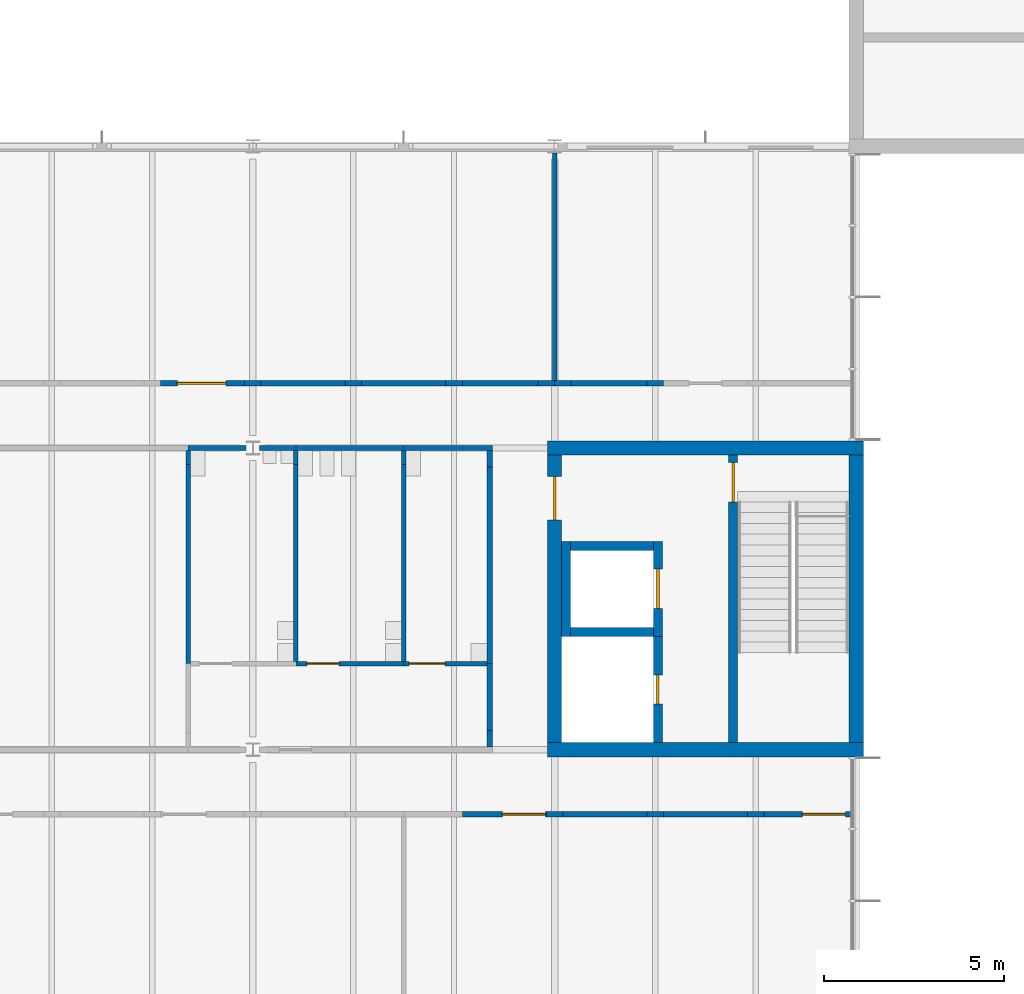
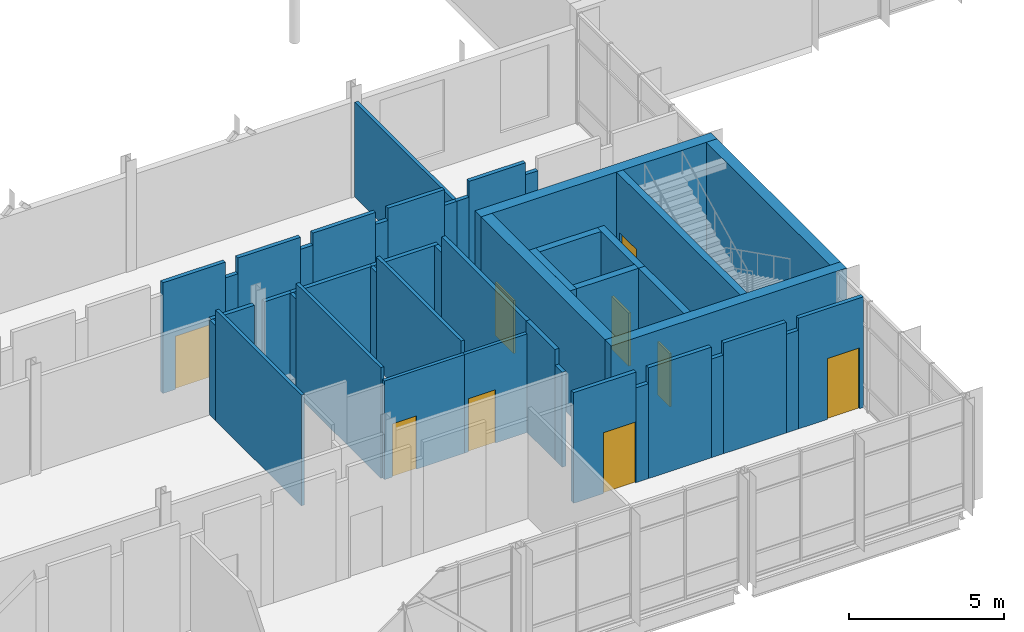
# One storey, part 49 of 89: 45 walls, 9 doors, 9 openings.
"""IFC4 building model written with IfcOpenShell, lengths in metres."""

from ifc_helpers import new_model, si_unit, direction, frame, frame_2d, origin, place, context, subcontext, project, spatial, rectangle, extrude, material, layer, layer_set, type_object, element, fill, save


model = new_model("IFC4")

# Units and contexts
model_context = context("Model", 3, precision=1e-05, world=origin(), true_north=direction((0.0, 1.0)))
body_context = subcontext(model_context, "Body", "Model", "MODEL_VIEW")
ifc_project = project(units=[si_unit("LENGTHUNIT", "METRE"), si_unit("AREAUNIT", "SQUARE_METRE"), si_unit("VOLUMEUNIT", "CUBIC_METRE"), si_unit("PLANEANGLEUNIT", "RADIAN"), si_unit("MASSUNIT", "GRAM", prefix="KILO")], contexts=[model_context])

# Site, building, storey
site_placement = place(None, origin())
site = spatial("IfcSite", under=ifc_project, at=site_placement, CompositionType="ELEMENT")
building_placement = place(site_placement, origin())
building = spatial("IfcBuilding", under=site, at=building_placement, Name="Hlaing Beacon Police Headquarters", CompositionType="ELEMENT")
storey_placement = place(building_placement, frame((0.0, 0.0, 9.89990234375)))
storey = spatial("IfcBuildingStorey", under=building, at=storey_placement, Name="L02", CompositionType="ELEMENT", Elevation=9.89990234375)

# Walls
ifc_material_1 = material(Name="Concrete C60/75", Category="concrete")
ifc_layer_1 = layer(ifc_material_1, 0.39990234375)
ifc_layer_set_1 = layer_set([ifc_layer_1], Name="Concrete C60/75")
wall_type_1 = type_object("IfcWallType", Name="Core shear wall 400", PredefinedType="SHEAR", material=ifc_layer_set_1)
for number, where, z_axis, x_axis, name in (
    (1, (50.199951171875, 16.800048828125, 0.0), (0.0, 0.0, 1.0), (1.0, 0.0, 0.0), "Core shear wall"),
    (2, (50.199951171875, 25.199951171875, 0.0), (0.0, 0.0, 1.0), (1.0, 0.0, 0.0), "Core shear wall"),
):
    element("IfcWall", number, at=place(storey_placement, frame(where, z_axis=z_axis, x_axis=x_axis)), inside=storey, type_object=wall_type_1, Name=name, PredefinedType="SHEAR", context=body_context, shape_type="SweptSolid", body=[
        extrude(rectangle(XDim=8.800048828125, YDim=0.39990234375, at=frame_2d((4.39990234375, 0.0))), origin(), (0.0, 0.0, 1.0), 4.3701171875),
    ])

# Wall, opening, door
wall_1_placement = place(storey_placement, frame((50.39990234375, 17.0, 0.0), z_axis=(0.0, 0.0, 1.0), x_axis=(0.0, 1.0, 0.0)))
wall_1 = element("IfcWall", 3, at=wall_1_placement, inside=storey, type_object=wall_type_1, Name="Core shear wall", PredefinedType="SHEAR", context=body_context, shape_type="SweptSolid", body=[
    extrude(rectangle(XDim=8.0, YDim=0.39990234375, at=frame_2d((4.0, 0.0))), origin(), (0.0, 0.0, 1.0), 4.3701171875),
])
opening_1_placement = place(wall_1_placement, frame((6.199951171875, 0.0, 0.0)))
opening_1 = element("IfcOpeningElement", 4, at=opening_1_placement, cuts=wall_1, Name="Opening L02-911", PredefinedType="OPENING", context=body_context, shape_type="SweptSolid", body=[
    extrude(rectangle(XDim=1.199951171875, YDim=2.10009765625, at=frame_2d((0.60009765625, 1.050048828125))), frame((0.0, 0.2099609375, 0.0), z_axis=(0.0, -1.0, 0.0), x_axis=(1.0, 0.0, 0.0)), (0.0, 0.0, 1.0), 0.419921875),
])
ifc_material_2 = material(Name="Steel fire door leaf", Category="steel")
ifc_layer_2 = layer(ifc_material_2, 0.070068359375)
ifc_layer_set_2 = layer_set([ifc_layer_2], Name="Steel fire door leaf")
door_type_1 = type_object("IfcDoorType", Name="Steel fire door FD60S 1200x2100", OperationType="SINGLE_SWING_LEFT", PredefinedType="DOOR", material=ifc_layer_set_2)
door_1_placement = place(opening_1_placement, frame((1.199951171875, 0.0, 0.0), z_axis=(0.0, 0.0, 1.0), x_axis=(-1.0, 0.0, 0.0)))
door_1 = element("IfcDoor", 5, at=door_1_placement, inside=storey, type_object=door_type_1, Name="Door Lift and Stair Lobby ST-K Entry", OperationType="SINGLE_SWING_LEFT", OverallHeight=2.10009765625, OverallWidth=1.199951171875, PredefinedType="DOOR", context=body_context, shape_type="SweptSolid", body=[
    extrude(rectangle(XDim=1.199951171875, YDim=2.10009765625, at=frame_2d((0.599853515625, 1.050048828125))), frame((0.0, 0.034912109375, 0.0), z_axis=(0.0, -1.0, 0.0), x_axis=(1.0, 0.0, 0.0)), (0.0, 0.0, 1.0), 0.070068359375),
])
fill(opening_1, door_1)

# Walls
wall_2_placement = place(storey_placement, frame((58.800048828125, 17.0, 0.0), z_axis=(0.0, 0.0, 1.0), x_axis=(0.0, 1.0, 0.0)))
element("IfcWall", 6, at=wall_2_placement, inside=storey, type_object=wall_type_1, Name="Core shear wall", PredefinedType="SHEAR", context=body_context, shape_type="SweptSolid", body=[
    extrude(rectangle(XDim=8.0, YDim=0.39990234375, at=frame_2d((4.0, 0.0))), origin(), (0.0, 0.0, 1.0), 4.3701171875),
])
ifc_material_3 = material(Name="Gypsum board partition")
ifc_layer_3 = layer(ifc_material_3, 0.14990234375)
ifc_layer_set_3 = layer_set([ifc_layer_3], Name="Gypsum board partition")
wall_type_2 = type_object("IfcWallType", Name="Corridor wall EI 30 150", PredefinedType="PARTITIONING", material=ifc_layer_set_3)
wall_3_placement = place(storey_placement, frame((46.199951171875, 25.199951171875, 0.0), z_axis=(0.0, 0.0, 1.0), x_axis=(1.0, 0.0, 0.0)))
element("IfcWall", 7, at=wall_3_placement, inside=storey, type_object=wall_type_2, Name="Corridor wall EI 30 150", PredefinedType="PARTITIONING", context=body_context, shape_type="SweptSolid", body=[
    extrude(rectangle(XDim=2.47509765625, YDim=0.14990234375, at=frame_2d((1.237548828125, 0.0))), origin(), (0.0, 0.0, 1.0), 3.74609375),
])
wall_4_placement = place(storey_placement, frame((48.60009765625, 19.199951171875, 0.0), z_axis=(0.0, 0.0, 1.0), x_axis=(0.0, 1.0, 0.0)))
element("IfcWall", 8, at=wall_4_placement, inside=storey, type_object=wall_type_2, Name="Corridor wall EI 30 150", PredefinedType="PARTITIONING", context=body_context, shape_type="SweptSolid", body=[
    extrude(rectangle(XDim=5.465087890625, YDim=0.14990234375, at=frame_2d((2.732421875, 0.0))), origin(), (0.0, 0.0, 1.0), 4.3701171875),
])
wall_5_placement = place(storey_placement, frame((48.60009765625, 24.6650390625, 0.0), z_axis=(0.0, 0.0, 1.0), x_axis=(0.0, 1.0, 0.0)))
element("IfcWall", 9, at=wall_5_placement, inside=storey, type_object=wall_type_2, Name="Corridor wall EI 30 150", PredefinedType="PARTITIONING", context=body_context, shape_type="SweptSolid", body=[
    extrude(rectangle(XDim=0.4599609375, YDim=0.14990234375, at=frame_2d((0.22998046875, 0.0))), origin(), (0.0, 0.0, 1.0), 3.74609375),
])
wall_6_placement = place(storey_placement, frame((43.199951171875, 25.199951171875, 0.0), z_axis=(0.0, 0.0, 1.0), x_axis=(1.0, 0.0, 0.0)))
element("IfcWall", 10, at=wall_6_placement, inside=storey, type_object=wall_type_2, Name="Corridor wall EI 30 150", PredefinedType="PARTITIONING", context=body_context, shape_type="SweptSolid", body=[
    extrude(rectangle(XDim=3.0, YDim=0.14990234375, at=frame_2d((1.5, 0.0))), origin(), (0.0, 0.0, 1.0), 3.74609375),
])
wall_7_placement = place(storey_placement, frame((48.60009765625, 16.875, 0.0), z_axis=(0.0, 0.0, 1.0), x_axis=(0.0, 1.0, 0.0)))
element("IfcWall", 11, at=wall_7_placement, inside=storey, type_object=wall_type_2, Name="Corridor wall EI 30 150", PredefinedType="PARTITIONING", context=body_context, shape_type="SweptSolid", body=[
    extrude(rectangle(XDim=0.4599609375, YDim=0.14990234375, at=frame_2d((0.22998046875, 0.0))), origin(), (0.0, 0.0, 1.0), 3.74609375),
])
wall_8_placement = place(storey_placement, frame((48.60009765625, 17.3349609375, 0.0), z_axis=(0.0, 0.0, 1.0), x_axis=(0.0, 1.0, 0.0)))
element("IfcWall", 12, at=wall_8_placement, inside=storey, type_object=wall_type_2, Name="Corridor wall EI 30 150", PredefinedType="PARTITIONING", context=body_context, shape_type="SweptSolid", body=[
    extrude(rectangle(XDim=1.864990234375, YDim=0.14990234375, at=frame_2d((0.9326171875, 0.0))), origin(), (0.0, 0.0, 1.0), 4.3701171875),
])
wall_9_placement = place(storey_placement, frame((40.199951171875, 25.199951171875, 0.0), z_axis=(0.0, 0.0, 1.0), x_axis=(1.0, 0.0, 0.0)))
element("IfcWall", 13, at=wall_9_placement, inside=storey, type_object=wall_type_2, Name="Corridor wall EI 30 150", PredefinedType="PARTITIONING", context=body_context, shape_type="SweptSolid", body=[
    extrude(rectangle(XDim=1.614990234375, YDim=0.14990234375, at=frame_2d((0.8076171875, 0.0))), origin(), (0.0, 0.0, 1.0), 3.74609375),
])
wall_10_placement = place(storey_placement, frame((42.18505859375, 25.199951171875, 0.0), z_axis=(0.0, 0.0, 1.0), x_axis=(1.0, 0.0, 0.0)))
element("IfcWall", 14, at=wall_10_placement, inside=storey, type_object=wall_type_2, Name="Corridor wall EI 30 150", PredefinedType="PARTITIONING", context=body_context, shape_type="SweptSolid", body=[
    extrude(rectangle(XDim=1.014892578125, YDim=0.14990234375, at=frame_2d((0.50732421875, 0.0))), origin(), (0.0, 0.0, 1.0), 3.74609375),
])
wall_11_placement = place(storey_placement, frame((50.39990234375, 27.0, 0.0), z_axis=(0.0, 0.0, 1.0), x_axis=(1.0, 0.0, 0.0)))
element("IfcWall", 15, at=wall_11_placement, inside=storey, type_object=wall_type_2, Name="Corridor wall EI 30 150", PredefinedType="PARTITIONING", context=body_context, shape_type="SweptSolid", body=[
    extrude(rectangle(XDim=0.460205078125, YDim=0.14990234375, at=frame_2d((0.22998046875, 0.0))), origin(), (0.0, 0.0, 1.0), 3.74609375),
])
wall_12_placement = place(storey_placement, frame((50.860107421875, 27.0, 0.0), z_axis=(0.0, 0.0, 1.0), x_axis=(1.0, 0.0, 0.0)))
element("IfcWall", 16, at=wall_12_placement, inside=storey, type_object=wall_type_2, Name="Corridor wall EI 30 150", PredefinedType="PARTITIONING", context=body_context, shape_type="SweptSolid", body=[
    extrude(rectangle(XDim=2.10986328125, YDim=0.14990234375, at=frame_2d((1.054931640625, 0.0))), origin(), (0.0, 0.0, 1.0), 4.3701171875),
])
wall_13_placement = place(storey_placement, frame((52.969970703125, 27.0, 0.0), z_axis=(0.0, 0.0, 1.0), x_axis=(1.0, 0.0, 0.0)))
element("IfcWall", 17, at=wall_13_placement, inside=storey, type_object=wall_type_2, Name="Corridor wall EI 30 150", PredefinedType="PARTITIONING", context=body_context, shape_type="SweptSolid", body=[
    extrude(rectangle(XDim=0.4599609375, YDim=0.14990234375, at=frame_2d((0.22998046875, 0.0))), origin(), (0.0, 0.0, 1.0), 3.89501953125),
])

# Wall, opening, door
wall_14_placement = place(storey_placement, frame((39.429931640625, 27.0, 0.0), z_axis=(0.0, 0.0, 1.0), x_axis=(1.0, 0.0, 0.0)))
wall_14 = element("IfcWall", 18, at=wall_14_placement, inside=storey, type_object=wall_type_2, Name="Corridor wall EI 30 150", PredefinedType="PARTITIONING", context=body_context, shape_type="SweptSolid", body=[
    extrude(rectangle(XDim=2.340087890625, YDim=0.14990234375, at=frame_2d((1.169921875, 0.0))), origin(), (0.0, 0.0, 1.0), 4.3701171875),
])
opening_2_placement = place(wall_14_placement, frame((0.469970703125, 0.0, 0.0)))
opening_2 = element("IfcOpeningElement", 19, at=opening_2_placement, cuts=wall_14, Name="Opening L02-015", PredefinedType="OPENING", context=body_context, shape_type="SweptSolid", body=[
    extrude(rectangle(XDim=1.35009765625, YDim=2.10009765625, at=frame_2d((0.675048828125, 1.050048828125))), frame((0.0, 0.0849609375, 0.0), z_axis=(0.0, -1.0, 0.0), x_axis=(1.0, 0.0, 0.0)), (0.0, 0.0, 1.0), 0.169921875),
])
ifc_material_4 = material(Name="Hardwood door leaf", Category="wood")
ifc_layer_4 = layer(ifc_material_4, 0.050048828125)
ifc_layer_set_4 = layer_set([ifc_layer_4], Name="Hardwood door leaf")
door_type_2 = type_object("IfcDoorType", Name="Fire leaf-and-a-half door FD30S 1350x2100", OperationType="DOUBLE_DOOR_SINGLE_SWING", PredefinedType="DOOR", material=ifc_layer_set_4)
door_2_placement = place(opening_2_placement, origin())
door_2 = element("IfcDoor", 20, at=door_2_placement, inside=storey, type_object=door_type_2, Name="Door Professional Standards Unit", OperationType="DOUBLE_DOOR_SINGLE_SWING", OverallHeight=2.10009765625, OverallWidth=1.35009765625, PredefinedType="DOOR", context=body_context, shape_type="SweptSolid", body=[
    extrude(rectangle(XDim=1.35009765625, YDim=2.10009765625, at=frame_2d((0.675048828125, 1.050048828125))), frame((0.0, 0.02490234375, 0.0), z_axis=(0.0, -1.0, 0.0), x_axis=(1.0, 0.0, 0.0)), (0.0, 0.0, 1.0), 0.050048828125),
])
fill(opening_2, door_2)

# Walls
wall_15_placement = place(storey_placement, frame((41.77001953125, 27.0, 0.0), z_axis=(0.0, 0.0, 1.0), x_axis=(1.0, 0.0, 0.0)))
element("IfcWall", 21, at=wall_15_placement, inside=storey, type_object=wall_type_2, Name="Corridor wall EI 30 150", PredefinedType="PARTITIONING", context=body_context, shape_type="SweptSolid", body=[
    extrude(rectangle(XDim=0.4599609375, YDim=0.14990234375, at=frame_2d((0.22998046875, 0.0))), origin(), (0.0, 0.0, 1.0), 3.74609375),
])
wall_16_placement = place(storey_placement, frame((42.22998046875, 27.0, 0.0), z_axis=(0.0, 0.0, 1.0), x_axis=(1.0, 0.0, 0.0)))
element("IfcWall", 22, at=wall_16_placement, inside=storey, type_object=wall_type_2, Name="Corridor wall EI 30 150", PredefinedType="PARTITIONING", context=body_context, shape_type="SweptSolid", body=[
    extrude(rectangle(XDim=2.340087890625, YDim=0.14990234375, at=frame_2d((1.169921875, 0.0))), origin(), (0.0, 0.0, 1.0), 4.3701171875),
])
wall_17_placement = place(storey_placement, frame((44.570068359375, 27.0, 0.0), z_axis=(0.0, 0.0, 1.0), x_axis=(1.0, 0.0, 0.0)))
element("IfcWall", 23, at=wall_17_placement, inside=storey, type_object=wall_type_2, Name="Corridor wall EI 30 150", PredefinedType="PARTITIONING", context=body_context, shape_type="SweptSolid", body=[
    extrude(rectangle(XDim=0.4599609375, YDim=0.14990234375, at=frame_2d((0.22998046875, 0.0))), origin(), (0.0, 0.0, 1.0), 3.89501953125),
])
wall_18_placement = place(storey_placement, frame((45.030029296875, 27.0, 0.0), z_axis=(0.0, 0.0, 1.0), x_axis=(1.0, 0.0, 0.0)))
element("IfcWall", 24, at=wall_18_placement, inside=storey, type_object=wall_type_2, Name="Corridor wall EI 30 150", PredefinedType="PARTITIONING", context=body_context, shape_type="SweptSolid", body=[
    extrude(rectangle(XDim=2.340087890625, YDim=0.14990234375, at=frame_2d((1.169921875, 0.0))), origin(), (0.0, 0.0, 1.0), 4.3701171875),
])
wall_19_placement = place(storey_placement, frame((47.3701171875, 27.0, 0.0), z_axis=(0.0, 0.0, 1.0), x_axis=(1.0, 0.0, 0.0)))
element("IfcWall", 25, at=wall_19_placement, inside=storey, type_object=wall_type_2, Name="Corridor wall EI 30 150", PredefinedType="PARTITIONING", context=body_context, shape_type="SweptSolid", body=[
    extrude(rectangle(XDim=0.4599609375, YDim=0.14990234375, at=frame_2d((0.22998046875, 0.0))), origin(), (0.0, 0.0, 1.0), 3.89501953125),
])
wall_20_placement = place(storey_placement, frame((47.830078125, 27.0, 0.0), z_axis=(0.0, 0.0, 1.0), x_axis=(1.0, 0.0, 0.0)))
element("IfcWall", 26, at=wall_20_placement, inside=storey, type_object=wall_type_2, Name="Corridor wall EI 30 150", PredefinedType="PARTITIONING", context=body_context, shape_type="SweptSolid", body=[
    extrude(rectangle(XDim=2.10986328125, YDim=0.14990234375, at=frame_2d((1.054931640625, 0.0))), origin(), (0.0, 0.0, 1.0), 4.3701171875),
])
wall_21_placement = place(storey_placement, frame((49.93994140625, 27.0, 0.0), z_axis=(0.0, 0.0, 1.0), x_axis=(1.0, 0.0, 0.0)))
element("IfcWall", 27, at=wall_21_placement, inside=storey, type_object=wall_type_2, Name="Corridor wall EI 30 150", PredefinedType="PARTITIONING", context=body_context, shape_type="SweptSolid", body=[
    extrude(rectangle(XDim=0.4599609375, YDim=0.14990234375, at=frame_2d((0.22998046875, 0.0))), origin(), (0.0, 0.0, 1.0), 3.74609375),
])

# Wall, opening, door
wall_22_placement = place(storey_placement, frame((47.830078125, 15.0, 0.0), z_axis=(0.0, 0.0, 1.0), x_axis=(1.0, 0.0, 0.0)))
wall_22 = element("IfcWall", 28, at=wall_22_placement, inside=storey, type_object=wall_type_2, Name="Corridor wall EI 30 150", PredefinedType="PARTITIONING", context=body_context, shape_type="SweptSolid", body=[
    extrude(rectangle(XDim=2.33984375, YDim=0.14990234375, at=frame_2d((1.169921875, 0.0))), origin(), (0.0, 0.0, 1.0), 4.3701171875),
])
opening_3_placement = place(wall_22_placement, frame((1.1201171875, 0.0, 0.0)))
opening_3 = element("IfcOpeningElement", 29, at=opening_3_placement, cuts=wall_22, Name="Opening L02-019", PredefinedType="OPENING", context=body_context, shape_type="SweptSolid", body=[
    extrude(rectangle(XDim=1.199951171875, YDim=2.39990234375, at=frame_2d((0.60009765625, 1.199951171875))), frame((0.0, 0.0849609375, 0.0), z_axis=(0.0, -1.0, 0.0), x_axis=(1.0, 0.0, 0.0)), (0.0, 0.0, 1.0), 0.169921875),
])
ifc_material_5 = material(Name="Hardwood door leaf", Category="wood")
ifc_layer_5 = layer(ifc_material_5, 0.050048828125)
ifc_layer_set_5 = layer_set([ifc_layer_5], Name="Hardwood door leaf")
door_type_3 = type_object("IfcDoorType", Name="Fire public door FD30S 1200x2400", OperationType="SINGLE_SWING_LEFT", PredefinedType="DOOR", material=ifc_layer_set_5)
door_3_placement = place(opening_3_placement, origin())
door_3 = element("IfcDoor", 30, at=door_3_placement, inside=storey, type_object=door_type_3, Name="Door Board Room", OperationType="SINGLE_SWING_RIGHT", OverallHeight=2.39990234375, OverallWidth=1.199951171875, PredefinedType="DOOR", context=body_context, shape_type="SweptSolid", body=[
    extrude(rectangle(XDim=1.199951171875, YDim=2.39990234375, at=frame_2d((0.60009765625, 1.199951171875))), frame((0.0, 0.02490234375, 0.0), z_axis=(0.0, -1.0, 0.0), x_axis=(1.0, 0.0, 0.0)), (0.0, 0.0, 1.0), 0.050048828125),
])
fill(opening_3, door_3)

# Walls
wall_23_placement = place(storey_placement, frame((50.169921875, 15.0, 0.0), z_axis=(0.0, 0.0, 1.0), x_axis=(1.0, 0.0, 0.0)))
element("IfcWall", 31, at=wall_23_placement, inside=storey, type_object=wall_type_2, Name="Corridor wall EI 30 150", PredefinedType="PARTITIONING", context=body_context, shape_type="SweptSolid", body=[
    extrude(rectangle(XDim=0.4599609375, YDim=0.14990234375, at=frame_2d((0.22998046875, 0.0))), origin(), (0.0, 0.0, 1.0), 3.74609375),
])
wall_24_placement = place(storey_placement, frame((50.6298828125, 15.0, 0.0), z_axis=(0.0, 0.0, 1.0), x_axis=(1.0, 0.0, 0.0)))
element("IfcWall", 32, at=wall_24_placement, inside=storey, type_object=wall_type_2, Name="Corridor wall EI 30 150", PredefinedType="PARTITIONING", context=body_context, shape_type="SweptSolid", body=[
    extrude(rectangle(XDim=2.340087890625, YDim=0.14990234375, at=frame_2d((1.169921875, 0.0))), origin(), (0.0, 0.0, 1.0), 4.3701171875),
])
wall_25_placement = place(storey_placement, frame((52.969970703125, 15.0, 0.0), z_axis=(0.0, 0.0, 1.0), x_axis=(1.0, 0.0, 0.0)))
element("IfcWall", 33, at=wall_25_placement, inside=storey, type_object=wall_type_2, Name="Corridor wall EI 30 150", PredefinedType="PARTITIONING", context=body_context, shape_type="SweptSolid", body=[
    extrude(rectangle(XDim=0.4599609375, YDim=0.14990234375, at=frame_2d((0.22998046875, 0.0))), origin(), (0.0, 0.0, 1.0), 3.89501953125),
])
wall_26_placement = place(storey_placement, frame((53.429931640625, 15.0, 0.0), z_axis=(0.0, 0.0, 1.0), x_axis=(1.0, 0.0, 0.0)))
element("IfcWall", 34, at=wall_26_placement, inside=storey, type_object=wall_type_2, Name="Corridor wall EI 30 150", PredefinedType="PARTITIONING", context=body_context, shape_type="SweptSolid", body=[
    extrude(rectangle(XDim=2.340087890625, YDim=0.14990234375, at=frame_2d((1.169921875, 0.0))), origin(), (0.0, 0.0, 1.0), 4.3701171875),
])
wall_27_placement = place(storey_placement, frame((55.77001953125, 15.0, 0.0), z_axis=(0.0, 0.0, 1.0), x_axis=(1.0, 0.0, 0.0)))
element("IfcWall", 35, at=wall_27_placement, inside=storey, type_object=wall_type_2, Name="Corridor wall EI 30 150", PredefinedType="PARTITIONING", context=body_context, shape_type="SweptSolid", body=[
    extrude(rectangle(XDim=0.4599609375, YDim=0.14990234375, at=frame_2d((0.22998046875, 0.0))), origin(), (0.0, 0.0, 1.0), 3.89501953125),
])

# Wall, opening, door
wall_28_placement = place(storey_placement, frame((56.22998046875, 15.0, 0.0), z_axis=(0.0, 0.0, 1.0), x_axis=(1.0, 0.0, 0.0)))
wall_28 = element("IfcWall", 36, at=wall_28_placement, inside=storey, type_object=wall_type_2, Name="Corridor wall EI 30 150", PredefinedType="PARTITIONING", context=body_context, shape_type="SweptSolid", body=[
    extrude(rectangle(XDim=2.419921875, YDim=0.14990234375, at=frame_2d((1.2099609375, 0.0))), origin(), (0.0, 0.0, 1.0), 4.3701171875),
])
opening_4_placement = place(wall_28_placement, frame((1.070068359375, 0.0, 0.0)))
opening_4 = element("IfcOpeningElement", 37, at=opening_4_placement, cuts=wall_28, Name="Opening L02-020", PredefinedType="OPENING", context=body_context, shape_type="SweptSolid", body=[
    extrude(rectangle(XDim=1.199951171875, YDim=2.39990234375, at=frame_2d((0.60009765625, 1.199951171875))), frame((0.0, 0.0849609375, 0.0), z_axis=(0.0, -1.0, 0.0), x_axis=(1.0, 0.0, 0.0)), (0.0, 0.0, 1.0), 0.169921875),
])
door_4_placement = place(opening_4_placement, origin())
door_4 = element("IfcDoor", 38, at=door_4_placement, inside=storey, type_object=door_type_3, Name="Door Board Room", OperationType="SINGLE_SWING_LEFT", OverallHeight=2.39990234375, OverallWidth=1.199951171875, PredefinedType="DOOR", context=body_context, shape_type="SweptSolid", body=[
    extrude(rectangle(XDim=1.199951171875, YDim=2.39990234375, at=frame_2d((0.60009765625, 1.199951171875))), frame((0.0, 0.02490234375, 0.0), z_axis=(0.0, -1.0, 0.0), x_axis=(1.0, 0.0, 0.0)), (0.0, 0.0, 1.0), 0.050048828125),
])
fill(opening_4, door_4)

# Walls
ifc_material_6 = material(Name="Gypsum board partition")
ifc_layer_6 = layer(ifc_material_6, 0.125)
ifc_layer_set_6 = layer_set([ifc_layer_6], Name="Gypsum board partition")
wall_type_3 = type_object("IfcWallType", Name="Partition 125", PredefinedType="PARTITIONING", material=ifc_layer_set_6)
wall_29_placement = place(storey_placement, frame((40.199951171875, 19.199951171875, 0.0), z_axis=(0.0, 0.0, 1.0), x_axis=(0.0, 1.0, 0.0)))
element("IfcWall", 39, at=wall_29_placement, inside=storey, type_object=wall_type_3, Name="Partition 125", PredefinedType="PARTITIONING", context=body_context, shape_type="SweptSolid", body=[
    extrude(rectangle(XDim=5.5400390625, YDim=0.125, at=frame_2d((2.77001953125, 0.0))), origin(), (0.0, 0.0, 1.0), 4.3701171875),
])
wall_30_placement = place(storey_placement, frame((40.199951171875, 24.739990234375, 0.0), z_axis=(0.0, 0.0, 1.0), x_axis=(0.0, 1.0, 0.0)))
element("IfcWall", 40, at=wall_30_placement, inside=storey, type_object=wall_type_3, Name="Partition 125", PredefinedType="PARTITIONING", context=body_context, shape_type="SweptSolid", body=[
    extrude(rectangle(XDim=0.385009765625, YDim=0.125, at=frame_2d((0.1923828125, 0.0))), origin(), (0.0, 0.0, 1.0), 3.74609375),
])
wall_31_placement = place(storey_placement, frame((46.199951171875, 19.261962890625, 0.0), z_axis=(0.0, 0.0, 1.0), x_axis=(0.0, 1.0, 0.0)))
element("IfcWall", 41, at=wall_31_placement, inside=storey, type_object=wall_type_3, Name="Partition 125", PredefinedType="PARTITIONING", context=body_context, shape_type="SweptSolid", body=[
    extrude(rectangle(XDim=5.47802734375, YDim=0.125, at=frame_2d((2.739013671875, 0.0))), origin(), (0.0, 0.0, 1.0), 4.3701171875),
])
wall_32_placement = place(storey_placement, frame((46.199951171875, 24.739990234375, 0.0), z_axis=(0.0, 0.0, 1.0), x_axis=(0.0, 1.0, 0.0)))
element("IfcWall", 42, at=wall_32_placement, inside=storey, type_object=wall_type_3, Name="Partition 125", PredefinedType="PARTITIONING", context=body_context, shape_type="SweptSolid", body=[
    extrude(rectangle(XDim=0.385009765625, YDim=0.125, at=frame_2d((0.1923828125, 0.0))), origin(), (0.0, 0.0, 1.0), 3.74609375),
])

# Wall, opening, door
wall_33_placement = place(storey_placement, frame((46.199951171875, 19.199951171875, 0.0), z_axis=(0.0, 0.0, 1.0), x_axis=(1.0, 0.0, 0.0)))
wall_33 = element("IfcWall", 43, at=wall_33_placement, inside=storey, type_object=wall_type_3, Name="Partition 125", PredefinedType="PARTITIONING", context=body_context, shape_type="SweptSolid", body=[
    extrude(rectangle(XDim=2.324951171875, YDim=0.125, at=frame_2d((1.16259765625, 0.0))), origin(), (0.0, 0.0, 1.0), 3.89501953125),
])
opening_5_placement = place(wall_33_placement, frame((0.14990234375, 0.0, 0.0)))
opening_5 = element("IfcOpeningElement", 44, at=opening_5_placement, cuts=wall_33, Name="Opening L02-009", PredefinedType="OPENING", context=body_context, shape_type="SweptSolid", body=[
    extrude(rectangle(XDim=1.0, YDim=2.10009765625, at=frame_2d((0.5, 1.050048828125))), frame((0.0, 0.072509765625, 0.0), z_axis=(0.0, -1.0, 0.0), x_axis=(1.0, 0.0, 0.0)), (0.0, 0.0, 1.0), 0.14501953125),
])
ifc_material_7 = material(Name="Hardwood door leaf", Category="wood")
ifc_layer_7 = layer(ifc_material_7, 0.0400390625)
ifc_layer_set_7 = layer_set([ifc_layer_7], Name="Hardwood door leaf")
door_type_4 = type_object("IfcDoorType", Name="Door 1000x2100", OperationType="SINGLE_SWING_LEFT", PredefinedType="DOOR", material=ifc_layer_set_7)
door_5_placement = place(opening_5_placement, origin())
door_5 = element("IfcDoor", 45, at=door_5_placement, inside=storey, type_object=door_type_4, Name="Door Accessible WC", OperationType="SINGLE_SWING_RIGHT", OverallHeight=2.10009765625, OverallWidth=1.0, PredefinedType="DOOR", context=body_context, shape_type="SweptSolid", body=[
    extrude(rectangle(XDim=1.0, YDim=2.10009765625, at=frame_2d((0.5, 1.050048828125))), frame((0.0, 0.02001953125, 0.0), z_axis=(0.0, -1.0, 0.0), x_axis=(1.0, 0.0, 0.0)), (0.0, 0.0, 1.0), 0.0400390625),
])
fill(opening_5, door_5)

wall_34_placement = place(storey_placement, frame((43.199951171875, 19.199951171875, 0.0), z_axis=(0.0, 0.0, 1.0), x_axis=(1.0, 0.0, 0.0)))
wall_34 = element("IfcWall", 46, at=wall_34_placement, inside=storey, type_object=wall_type_3, Name="Partition 125", PredefinedType="PARTITIONING", context=body_context, shape_type="SweptSolid", body=[
    extrude(rectangle(XDim=3.0, YDim=0.125, at=frame_2d((1.5, 0.0))), origin(), (0.0, 0.0, 1.0), 3.89501953125),
])
opening_6_placement = place(wall_34_placement, frame((0.300048828125, 0.0, 0.0)))
opening_6 = element("IfcOpeningElement", 47, at=opening_6_placement, cuts=wall_34, Name="Opening L02-010", PredefinedType="OPENING", context=body_context, shape_type="SweptSolid", body=[
    extrude(rectangle(XDim=0.89990234375, YDim=2.10009765625, at=frame_2d((0.449951171875, 1.050048828125))), frame((0.0, 0.072509765625, 0.0), z_axis=(0.0, -1.0, 0.0), x_axis=(1.0, 0.0, 0.0)), (0.0, 0.0, 1.0), 0.14501953125),
])
ifc_material_8 = material(Name="Hardwood door leaf", Category="wood")
ifc_layer_8 = layer(ifc_material_8, 0.0400390625)
ifc_layer_set_8 = layer_set([ifc_layer_8], Name="Hardwood door leaf")
door_type_5 = type_object("IfcDoorType", Name="Door 900x2100", OperationType="SINGLE_SWING_LEFT", PredefinedType="DOOR", material=ifc_layer_set_8)
door_6_placement = place(opening_6_placement, origin())
door_6 = element("IfcDoor", 48, at=door_6_placement, inside=storey, type_object=door_type_5, Name="Door Female WC", OperationType="SINGLE_SWING_RIGHT", OverallHeight=2.10009765625, OverallWidth=0.89990234375, PredefinedType="DOOR", context=body_context, shape_type="SweptSolid", body=[
    extrude(rectangle(XDim=0.89990234375, YDim=2.10009765625, at=frame_2d((0.449951171875, 1.050048828125))), frame((0.0, 0.02001953125, 0.0), z_axis=(0.0, -1.0, 0.0), x_axis=(1.0, 0.0, 0.0)), (0.0, 0.0, 1.0), 0.0400390625),
])
fill(opening_6, door_6)

# Walls
wall_35_placement = place(storey_placement, frame((43.199951171875, 19.261962890625, 0.0), z_axis=(0.0, 0.0, 1.0), x_axis=(0.0, 1.0, 0.0)))
element("IfcWall", 49, at=wall_35_placement, inside=storey, type_object=wall_type_3, Name="Partition 125", PredefinedType="PARTITIONING", context=body_context, shape_type="SweptSolid", body=[
    extrude(rectangle(XDim=5.47802734375, YDim=0.125, at=frame_2d((2.739013671875, 0.0))), origin(), (0.0, 0.0, 1.0), 4.3701171875),
])
wall_36_placement = place(storey_placement, frame((43.199951171875, 24.739990234375, 0.0), z_axis=(0.0, 0.0, 1.0), x_axis=(0.0, 1.0, 0.0)))
element("IfcWall", 50, at=wall_36_placement, inside=storey, type_object=wall_type_3, Name="Partition 125", PredefinedType="PARTITIONING", context=body_context, shape_type="SweptSolid", body=[
    extrude(rectangle(XDim=0.385009765625, YDim=0.125, at=frame_2d((0.1923828125, 0.0))), origin(), (0.0, 0.0, 1.0), 3.74609375),
])
wall_37_placement = place(storey_placement, frame((50.39990234375, 27.074951171875, 0.0), z_axis=(0.0, 0.0, 1.0), x_axis=(0.0, 1.0, 0.0)))
element("IfcWall", 51, at=wall_37_placement, inside=storey, type_object=wall_type_3, Name="Partition 125", PredefinedType="PARTITIONING", context=body_context, shape_type="SweptSolid", body=[
    extrude(rectangle(XDim=6.343994140625, YDim=0.125, at=frame_2d((3.171875, 0.0))), origin(), (0.0, 0.0, 1.0), 3.74609375),
])

# Wall, opening, door
ifc_material_9 = material(Name="Concrete C40/50", Category="concrete")
ifc_layer_9 = layer(ifc_material_9, 0.25)
ifc_layer_set_9 = layer_set([ifc_layer_9], Name="Concrete C40/50")
wall_type_4 = type_object("IfcWallType", Name="Shaft wall 250", PredefinedType="SOLIDWALL", material=ifc_layer_set_9)
wall_38_placement = place(storey_placement, frame((55.375, 25.0, 0.0), z_axis=(0.0, 0.0, 1.0), x_axis=(0.0, -1.0, 0.0)))
wall_38 = element("IfcWall", 52, at=wall_38_placement, inside=storey, type_object=wall_type_4, Name="Stair enclosure wall", PredefinedType="SOLIDWALL", context=body_context, shape_type="SweptSolid", body=[
    extrude(rectangle(XDim=8.0, YDim=0.25, at=frame_2d((4.0, 0.0))), origin(), (0.0, 0.0, 1.0), 4.3701171875),
])
opening_7_placement = place(wall_38_placement, frame((0.199951171875, 0.0, 0.0)))
opening_7 = element("IfcOpeningElement", 53, at=opening_7_placement, cuts=wall_38, Name="Opening L02-913", PredefinedType="OPENING", context=body_context, shape_type="SweptSolid", body=[
    extrude(rectangle(XDim=1.10009765625, YDim=2.10009765625, at=frame_2d((0.550048828125, 1.050048828125))), frame((0.0, 0.135009765625, 0.0), z_axis=(0.0, -1.0, 0.0), x_axis=(1.0, 0.0, 0.0)), (0.0, 0.0, 1.0), 0.27001953125),
])
ifc_material_10 = material(Name="Steel fire door leaf", Category="steel")
ifc_layer_10 = layer(ifc_material_10, 0.070068359375)
ifc_layer_set_10 = layer_set([ifc_layer_10], Name="Steel fire door leaf")
door_type_6 = type_object("IfcDoorType", Name="Steel fire door FD60 1100x2100", OperationType="SINGLE_SWING_LEFT", PredefinedType="DOOR", material=ifc_layer_set_10)
door_7_placement = place(opening_7_placement, origin())
door_7 = element("IfcDoor", 54, at=door_7_placement, inside=storey, type_object=door_type_6, Name="Door Stair ST-K", OperationType="SINGLE_SWING_RIGHT", OverallHeight=2.10009765625, OverallWidth=1.10009765625, PredefinedType="DOOR", context=body_context, shape_type="SweptSolid", body=[
    extrude(rectangle(XDim=1.10009765625, YDim=2.10009765625, at=frame_2d((0.550048828125, 1.050048828125))), frame((0.0, 0.03515625, 0.0), z_axis=(0.0, -1.0, 0.0), x_axis=(1.0, 0.0, 0.0)), (0.0, 0.0, 1.0), 0.070068359375),
])
fill(opening_7, door_7)

wall_39_placement = place(storey_placement, frame((53.27490234375, 19.949951171875, 0.0), z_axis=(0.0, 0.0, 1.0), x_axis=(0.0, -1.0, 0.0)))
wall_39 = element("IfcWall", 55, at=wall_39_placement, inside=storey, type_object=wall_type_4, Name="Lobby wall", PredefinedType="SOLIDWALL", context=body_context, shape_type="SweptSolid", body=[
    extrude(rectangle(XDim=2.949951171875, YDim=0.25, at=frame_2d((1.47509765625, 0.0))), origin(), (0.0, 0.0, 1.0), 4.3701171875),
])
opening_8_placement = place(wall_39_placement, frame((1.074951171875, 0.0, 0.0)))
opening_8 = element("IfcOpeningElement", 56, at=opening_8_placement, cuts=wall_39, Name="Opening L02-912", PredefinedType="OPENING", context=body_context, shape_type="SweptSolid", body=[
    extrude(rectangle(XDim=0.800048828125, YDim=2.10009765625, at=frame_2d((0.39990234375, 1.050048828125))), frame((0.0, 0.135009765625, 0.0), z_axis=(0.0, -1.0, 0.0), x_axis=(1.0, 0.0, 0.0)), (0.0, 0.0, 1.0), 0.27001953125),
])
ifc_material_11 = material(Name="Steel fire door leaf", Category="steel")
ifc_layer_11 = layer(ifc_material_11, 0.070068359375)
ifc_layer_set_11 = layer_set([ifc_layer_11], Name="Steel fire door leaf")
door_type_7 = type_object("IfcDoorType", Name="Steel fire door FD60 800x2100", OperationType="SINGLE_SWING_LEFT", PredefinedType="DOOR", material=ifc_layer_set_11)
door_8_placement = place(opening_8_placement, frame((0.800048828125, 0.0, 0.0), z_axis=(0.0, 0.0, 1.0), x_axis=(-1.0, 0.0, 0.0)))
door_8 = element("IfcDoor", 57, at=door_8_placement, inside=storey, type_object=door_type_7, Name="Door Services Riser", OperationType="SINGLE_SWING_RIGHT", OverallHeight=2.10009765625, OverallWidth=0.800048828125, PredefinedType="DOOR", context=body_context, shape_type="SweptSolid", body=[
    extrude(rectangle(XDim=0.800048828125, YDim=2.10009765625, at=frame_2d((0.400146484375, 1.050048828125))), frame((0.0, 0.034912109375, 0.0), z_axis=(0.0, -1.0, 0.0), x_axis=(1.0, 0.0, 0.0)), (0.0, 0.0, 1.0), 0.070068359375),
])
fill(opening_8, door_8)

wall_40_placement = place(storey_placement, frame((53.27490234375, 19.949951171875, 0.0), z_axis=(0.0, 0.0, 1.0), x_axis=(0.0, 1.0, 0.0)))
wall_40 = element("IfcWall", 58, at=wall_40_placement, inside=storey, type_object=wall_type_4, Name="Lift shaft wall PL6", PredefinedType="SOLIDWALL", context=body_context, shape_type="SweptSolid", body=[
    extrude(rectangle(XDim=2.650146484375, YDim=0.25, at=frame_2d((1.3251953125, 0.0))), origin(), (0.0, 0.0, 1.0), 4.3701171875),
])
opening_9_placement = place(wall_40_placement, frame((0.77490234375, 0.0, 0.0)))
opening_9 = element("IfcOpeningElement", 59, at=opening_9_placement, cuts=wall_40, Name="Opening LD-PL6-L02", PredefinedType="OPENING", context=body_context, shape_type="SweptSolid", body=[
    extrude(rectangle(XDim=1.10009765625, YDim=2.10009765625, at=frame_2d((0.550048828125, 1.050048828125))), frame((0.0, 0.135009765625, 0.0), z_axis=(0.0, -1.0, 0.0), x_axis=(1.0, 0.0, 0.0)), (0.0, 0.0, 1.0), 0.27001953125),
])
ifc_material_12 = material(Name="Stainless steel lift landing door", Category="steel")
ifc_layer_12 = layer(ifc_material_12, 0.06005859375)
ifc_layer_set_12 = layer_set([ifc_layer_12], Name="Stainless steel lift landing door")
door_type_8 = type_object("IfcDoorType", Name="Lift landing door 1100x2100", OperationType="DOUBLE_DOOR_SLIDING", PredefinedType="DOOR", material=ifc_layer_set_12)
door_9_placement = place(opening_9_placement, origin())
door_9 = element("IfcDoor", 60, at=door_9_placement, inside=storey, type_object=door_type_8, Name="Landing door PL6 L02", OperationType="DOUBLE_DOOR_SLIDING", OverallHeight=2.10009765625, OverallWidth=1.10009765625, PredefinedType="DOOR", context=body_context, shape_type="SweptSolid", body=[
    extrude(rectangle(XDim=1.10009765625, YDim=2.10009765625, at=frame_2d((0.550048828125, 1.050048828125))), frame((0.0, 0.0400390625, 0.0), z_axis=(0.0, -1.0, 0.0), x_axis=(1.0, 0.0, 0.0)), (0.0, 0.0, 1.0), 0.080078125),
])
fill(opening_9, door_9)

# Walls
for number, where, z_axis, x_axis, name in (
    (61, (50.85009765625, 22.47509765625, 0.0), (0.0, 0.0, 1.0), (1.0, 0.0, 0.0), "Lift shaft wall PL6"),
    (62, (50.85009765625, 20.074951171875, 0.0), (0.0, 0.0, 1.0), (1.0, 0.0, 0.0), "Lift shaft wall PL6"),
):
    element("IfcWall", number, at=place(storey_placement, frame(where, z_axis=z_axis, x_axis=x_axis)), inside=storey, type_object=wall_type_4, Name=name, PredefinedType="SOLIDWALL", context=body_context, shape_type="SweptSolid", body=[
        extrude(rectangle(XDim=2.2998046875, YDim=0.25, at=frame_2d((1.14990234375, 0.0))), origin(), (0.0, 0.0, 1.0), 4.3701171875),
    ])
wall_41_placement = place(storey_placement, frame((50.72509765625, 19.949951171875, 0.0), z_axis=(0.0, 0.0, 1.0), x_axis=(0.0, 1.0, 0.0)))
element("IfcWall", 63, at=wall_41_placement, inside=storey, type_object=wall_type_4, Name="Lift shaft wall PL6", PredefinedType="SOLIDWALL", context=body_context, shape_type="SweptSolid", body=[
    extrude(rectangle(XDim=2.650146484375, YDim=0.25, at=frame_2d((1.3251953125, 0.0))), origin(), (0.0, 0.0, 1.0), 4.3701171875),
])

save(model, "model.ifc")
